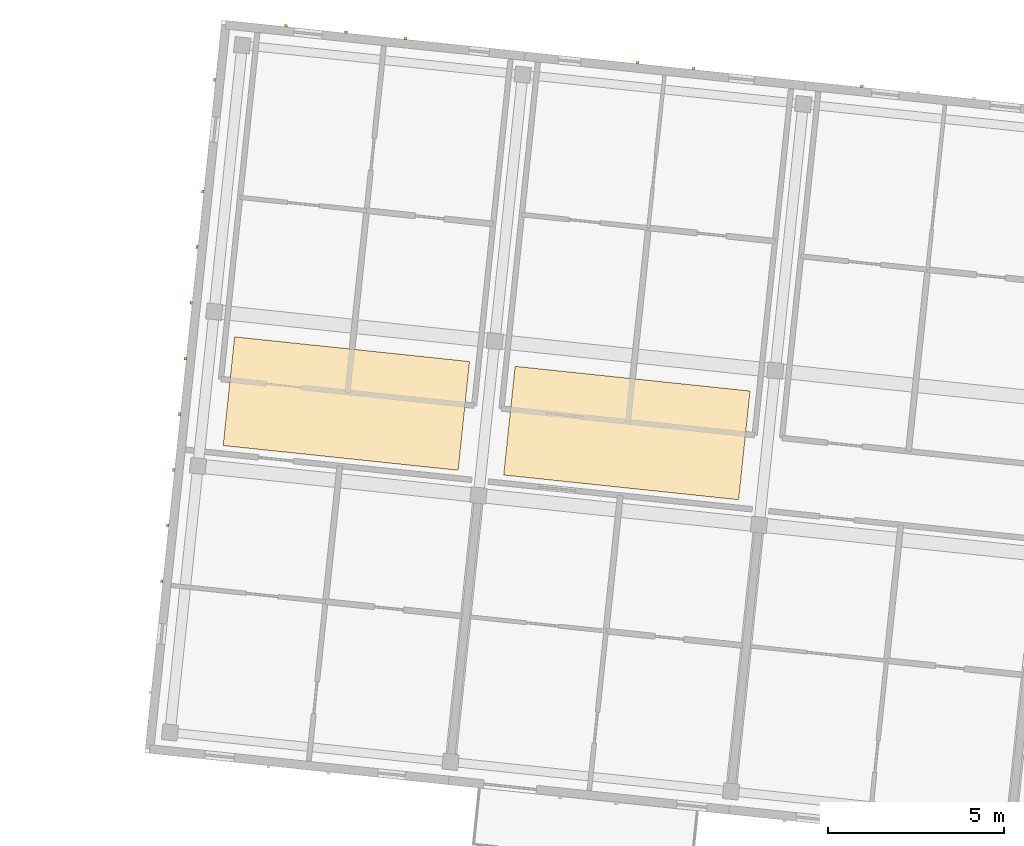
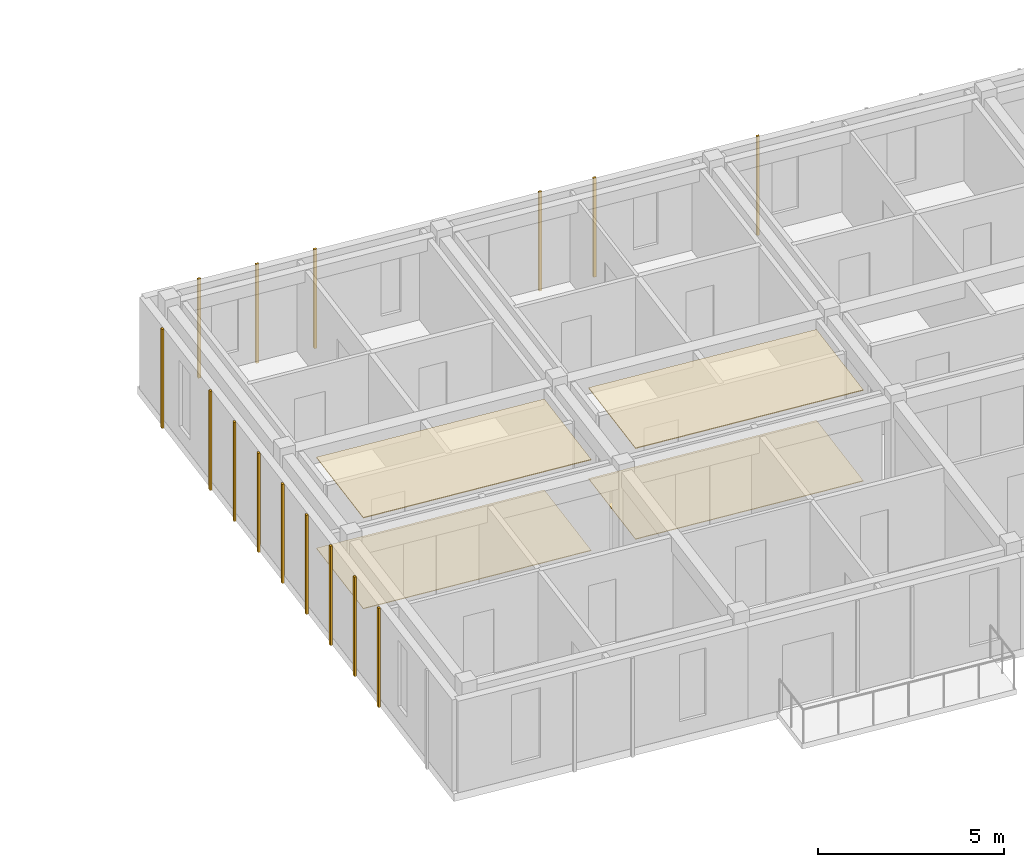
# One storey, part 56 of 64: 19 coverings.
"""IFC4 building model written with IfcOpenShell, lengths in metres."""

import ifcopenshell
import ifcopenshell.guid

model = None  # the IFC model being written
_history = None  # IfcOwnerHistory: only IFC2X3 demands one
_inside = {}  # id of a spatial element -> (the spatial element, [elements in it])
_under = {}  # id of a project, library or spatial element -> (it, [spatial elements below it])
_declared = {}  # id of a project -> (the project, [libraries it declares])
_typed = {}  # id of a type object -> (the type object, [elements of that type])
_made_of = {}  # id of a material, layer set ... -> (it, [elements and type objects made of it])


def new_model(schema):
    """Start an empty IFC model of exactly this schema.

    Asked for "IFC4X3", IfcOpenShell would pick the latest addendum, in which some entities
    have other attributes; the version numbers below select the first issue.
    IFC2X3 requires an IfcOwnerHistory on every rooted entity: one is made here for all.
    """
    global model, _history
    if schema == "IFC4X3":
        model = ifcopenshell.file(schema_version=(4, 3, 0, 0))
    else:
        model = ifcopenshell.file(schema=schema)
    _inside.clear()
    _under.clear()
    _declared.clear()
    _typed.clear()
    _made_of.clear()
    _history = None
    if model.schema == "IFC2X3":
        org = make("IfcOrganization", Name="unknown")
        user = make(
            "IfcPersonAndOrganization",
            ThePerson=make("IfcPerson", FamilyName="unknown"),
            TheOrganization=org,
        )
        app = make(
            "IfcApplication",
            ApplicationDeveloper=org,
            Version="unknown",
            ApplicationFullName="unknown",
            ApplicationIdentifier="unknown",
        )
        _history = make(
            "IfcOwnerHistory",
            OwningUser=user,
            OwningApplication=app,
            ChangeAction="ADDED",
            CreationDate=0,
        )
    return model


def make(cls, **values):
    """One entity of the class cls with the attributes given. An attribute that is None is left unset."""
    return model.create_entity(
        cls, **{name: value for name, value in values.items() if value is not None}
    )


def rooted(cls, **values):
    """An entity with a GlobalId (a new one), such as an element, a storey or a relation."""
    return make(cls, GlobalId=ifcopenshell.guid.new(), OwnerHistory=_history, **values)


def si_unit(unit_type, name, prefix=None):
    """IfcSIUnit, for example si_unit("LENGTHUNIT", "METRE", prefix="MILLI")."""
    return make("IfcSIUnit", UnitType=unit_type, Prefix=prefix, Name=name)


def assignment(units):
    """IfcUnitAssignment: the units of a project."""
    return None if units is None else make("IfcUnitAssignment", Units=units)


def point(xyz):
    """IfcCartesianPoint."""
    return None if xyz is None else make("IfcCartesianPoint", Coordinates=xyz)


def direction(xyz):
    """IfcDirection."""
    return None if xyz is None else make("IfcDirection", DirectionRatios=xyz)


def frame(location, z_axis=None, x_axis=None):
    """IfcAxis2Placement3D, a coordinate frame: its origin and axes. An axis left out is left unset."""
    return make(
        "IfcAxis2Placement3D",
        Location=point(location),
        Axis=direction(z_axis),
        RefDirection=direction(x_axis),
    )


def frame_2d(location, x_axis=None):
    """IfcAxis2Placement2D, a coordinate frame in the plane: its origin and x axis."""
    return make(
        "IfcAxis2Placement2D", Location=point(location), RefDirection=direction(x_axis)
    )


def origin():
    """The frame at (0, 0, 0) with its axes left unset."""
    return frame((0.0, 0.0, 0.0))


def origin_2d():
    """The frame at (0, 0) in the plane with its x axis left unset."""
    return frame_2d((0.0, 0.0))


def place(relative_to, where):
    """IfcLocalPlacement: puts the frame where relative to a parent placement (None: the world)."""
    return make(
        "IfcLocalPlacement", PlacementRelTo=relative_to, RelativePlacement=where
    )


def context(
    kind, dimensions, precision=None, world=None, true_north=None, identifier=None
):
    """IfcGeometricRepresentationContext, for example the 3D "Model" context."""
    return make(
        "IfcGeometricRepresentationContext",
        ContextIdentifier=identifier,
        ContextType=kind,
        CoordinateSpaceDimension=dimensions,
        Precision=precision,
        WorldCoordinateSystem=world,
        TrueNorth=true_north,
    )


def subcontext(parent, identifier, kind, view, scale=None):
    """IfcGeometricRepresentationSubContext, for example "Body" below "Model"."""
    return make(
        "IfcGeometricRepresentationSubContext",
        ContextIdentifier=identifier,
        ContextType=kind,
        ParentContext=parent,
        TargetScale=scale,
        TargetView=view,
    )


def project(units=None, contexts=None):
    """IfcProject with its units and contexts."""
    return rooted(
        "IfcProject",
        Name="project",
        RepresentationContexts=contexts,
        UnitsInContext=assignment(units),
    )


def spatial(cls, under=None, at=None, **own):
    """A site, building, storey or space (cls), placed at a placement, below another one or the project."""
    s = rooted(cls, ObjectPlacement=at, **own)
    if under is not None:
        _under.setdefault(under.id(), (under, []))[1].append(s)
    return s


def polyline(points):
    """IfcPolyline through the points."""
    return make("IfcPolyline", Points=[point(p) for p in points])


def profile(cls, at=None, kind="AREA", **sizes):
    """A parametric profile (cls). Its sizes go by their IFC names, for example OverallWidth=200.0."""
    return make(cls, ProfileType=kind, Position=at, **sizes)


def rectangle(**sizes):
    """IfcRectangleProfileDef."""
    return profile("IfcRectangleProfileDef", **sizes)


def outline(outer, holes=None, kind="AREA"):
    """IfcArbitraryClosedProfileDef: a profile drawn as a closed curve; with holes, ...WithVoids."""
    if holes is None:
        return make("IfcArbitraryClosedProfileDef", ProfileType=kind, OuterCurve=outer)
    return make(
        "IfcArbitraryProfileDefWithVoids",
        ProfileType=kind,
        OuterCurve=outer,
        InnerCurves=holes,
    )


def extrude(swept, where, along, depth):
    """IfcExtrudedAreaSolid: the profile swept, set in the frame where, extruded along a direction by depth."""
    return make(
        "IfcExtrudedAreaSolid",
        SweptArea=swept,
        Position=where,
        ExtrudedDirection=direction(along),
        Depth=depth,
    )


def shape(context_of_items, identifier, shape_type, items):
    """IfcShapeRepresentation: the items that make up one representation, for example the "Body"."""
    return make(
        "IfcShapeRepresentation",
        ContextOfItems=context_of_items,
        RepresentationIdentifier=identifier,
        RepresentationType=shape_type,
        Items=items,
    )


def material(Name=None, Category=None):
    """IfcMaterial."""
    return make("IfcMaterial", Name=Name, Category=Category)


def layer(
    of_material, thickness, ventilated=None, Name=None, Category=None, Priority=None
):
    """IfcMaterialLayer: one layer of a wall or slab, of a material (None: an air gap)."""
    return make(
        "IfcMaterialLayer",
        Material=of_material,
        LayerThickness=thickness,
        IsVentilated=ventilated,
        Name=Name,
        Category=Category,
        Priority=Priority,
    )


def layer_set(layers, Name=None):
    """IfcMaterialLayerSet."""
    return make("IfcMaterialLayerSet", MaterialLayers=layers, LayerSetName=Name)


def made_of(thing, what):
    """Note that an element or type object is made of a material, layer set ...; save() writes the relation."""
    if what is not None:
        _made_of.setdefault(what.id(), (what, []))[1].append(thing)
    return thing


def type_object(cls, material=None, **own):
    """A type object (cls), such as IfcWallType, which elements share."""
    return made_of(rooted(cls, **own), material)


def element(
    cls,
    number,
    at=None,
    inside=None,
    cuts=None,
    type_object=None,
    material=None,
    context=None,
    identifier="Body",
    shape_type=None,
    held_by="IfcProductDefinitionShape",
    body=None,
    shapes=None,
    **own,
):
    """One element of the class cls, such as IfcWall. Its Tag is "e" and its number.

    at: its placement. inside: the storey or other place that contains it. cuts: it is an
    opening in that element (IfcRelVoidsElement). A single representation is given by context,
    identifier, shape_type and body (its items); several are given by shapes. held_by: the class
    of the entity that holds the representations. save() writes the other relations.
    """
    e = rooted(cls, Tag="e%d" % number, ObjectPlacement=at, **own)
    if body is not None:
        shapes = [shape(context, identifier, shape_type, body)]
    if shapes is not None:
        e.Representation = make(held_by, Representations=shapes)
    if inside is not None:
        _inside.setdefault(inside.id(), (inside, []))[1].append(e)
    if cuts is not None:
        rooted(
            "IfcRelVoidsElement", RelatingBuildingElement=cuts, RelatedOpeningElement=e
        )
    if type_object is not None:
        _typed.setdefault(type_object.id(), (type_object, []))[1].append(e)
    return made_of(e, material)


def aggregate(whole, parts):
    """IfcRelAggregates: a whole, such as a stair, and the parts it consists of."""
    return rooted("IfcRelAggregates", RelatingObject=whole, RelatedObjects=parts)


def save(model, path):
    """Write the relations noted so far, then the file.

    IfcRelAggregates (storeys below a building ...), IfcRelContainedInSpatialStructure (elements
    in a storey), IfcRelDefinesByType, IfcRelAssociatesMaterial and IfcRelDeclares: one each for
    every whole, place, type object, material and project.
    """
    for whole, parts in _under.values():
        aggregate(whole, parts)
    for where, things in _inside.values():
        rooted(
            "IfcRelContainedInSpatialStructure",
            RelatedElements=things,
            RelatingStructure=where,
        )
    for kind, things in _typed.values():
        rooted("IfcRelDefinesByType", RelatedObjects=things, RelatingType=kind)
    for what, things in _made_of.values():
        rooted("IfcRelAssociatesMaterial", RelatedObjects=things, RelatingMaterial=what)
    for by, libraries in _declared.values():
        rooted("IfcRelDeclares", RelatingContext=by, RelatedDefinitions=libraries)
    model.write(path)


model = new_model("IFC4")

# Units and contexts
model_context = context("Model", 3, precision=1e-05, world=origin(), true_north=direction((0.0, 1.0)))
body_context = subcontext(model_context, "Body", "Model", "MODEL_VIEW")
ifc_project = project(units=[si_unit("LENGTHUNIT", "METRE"), si_unit("AREAUNIT", "SQUARE_METRE"), si_unit("VOLUMEUNIT", "CUBIC_METRE"), si_unit("PLANEANGLEUNIT", "RADIAN"), si_unit("MASSUNIT", "GRAM", prefix="KILO")], contexts=[model_context])

# Site, building, storey
site_placement = place(None, origin())
site = spatial("IfcSite", under=ifc_project, at=site_placement, CompositionType="ELEMENT")
building_placement = place(site_placement, origin())
building = spatial("IfcBuilding", under=site, at=building_placement, Name="Kestramere Prow Commons", CompositionType="ELEMENT")
storey_placement = place(building_placement, frame((0.0, 0.0, 24.64990234375)))
storey = spatial("IfcBuildingStorey", under=building, at=storey_placement, Name="L07", CompositionType="ELEMENT", Elevation=24.64990234375)

# Coverings
ifc_material_1 = material(Name="Mineral Fibre Acoustic Ceiling Tile")
ifc_layer_1 = layer(ifc_material_1, 0.02490234375)
ifc_layer_set_1 = layer_set([ifc_layer_1], Name="Mineral Fibre Acoustic Ceiling Tile")
covering_type_1 = type_object("IfcCoveringType", Name="COV-CEIL-ACOUSTIC", PredefinedType="CEILING", material=ifc_layer_set_1)
covering_1_placement = place(storey_placement, frame((0.0, 0.0, 2.97509765625)))
element("IfcCovering", 1, at=covering_1_placement, inside=storey, type_object=covering_type_1, Name="Block B L07 Corridor Acoustic Ceiling 1", PredefinedType="CEILING", context=body_context, shape_type="SweptSolid", body=[
    extrude(outline(polyline([(111.5087890625, 102.936767578125), (118.172119140625, 102.236572265625), (118.49609375, 105.319580078125), (111.832763671875, 106.019775390625), (111.5087890625, 102.936767578125)])), origin(), (0.0, 0.0, 1.0), 0.02490234375),
])
covering_2_placement = place(storey_placement, frame((0.0, 0.0, 2.97509765625)))
element("IfcCovering", 2, at=covering_2_placement, inside=storey, type_object=covering_type_1, Name="Block B L07 Corridor Acoustic Ceiling 2", PredefinedType="CEILING", context=body_context, shape_type="SweptSolid", body=[
    extrude(outline(polyline([(119.465087890625, 102.1005859375), (126.128173828125, 101.400390625), (126.452392578125, 104.4833984375), (119.7890625, 105.18359375), (119.465087890625, 102.1005859375)])), origin(), (0.0, 0.0, 1.0), 0.02490234375),
])
ifc_material_2 = material(Name="Weathered Zinc-Titanium Standing-Seam Cladding")
ifc_layer_2 = layer(ifc_material_2, 0.074951171875)
ifc_layer_set_2 = layer_set([ifc_layer_2], Name="Weathered Zinc-Titanium Standing-Seam Cladding")
covering_type_2 = type_object("IfcCoveringType", Name="COV-CLAD-SEAM", PredefinedType="CLADDING", material=ifc_layer_set_2)
for number, where, z_axis, x_axis, name in (
    (3, (113.293212890625, 114.843017578125, -0.25), (0.0, 0.0, 1.0), (0.994521895368, -0.104528463268, 0.0), "EW-B-L07-N-0 Standing-Seam Rib 1"),
    (4, (114.98876953125, 114.664794921875, -0.25), (0.0, 0.0, 1.0), (0.994521895368, -0.104528463268, 0.0), "EW-B-L07-N-0 Standing-Seam Rib 2"),
    (5, (116.684326171875, 114.486572265625, -0.25), (0.0, 0.0, 1.0), (0.994521895368, -0.104528463268, 0.0), "EW-B-L07-N-0 Standing-Seam Rib 3"),
    (6, (123.25830078125, 113.795654296875, -0.25), (0.0, 0.0, 1.0), (0.994521895368, -0.104528463268, 0.0), "EW-B-L07-N-1 Standing-Seam Rib 2"),
    (7, (124.849365234375, 113.62841796875, -0.25), (0.0, 0.0, 1.0), (0.994521895368, -0.104528463268, 0.0), "EW-B-L07-N-1 Standing-Seam Rib 3"),
    (8, (129.623046875, 113.126708984375, -0.25), (0.0, 0.0, 1.0), (0.994521895368, -0.104528463268, 0.0), "EW-B-L07-N-2 Standing-Seam Rib 1"),
    (9, (109.76953125, 99.087890625, -0.25), (0.0, 0.0, 1.0), (0.104528463268, 0.994521895368, 0.0), "EW-B-L07-EAV Standing-Seam Rib 3"),
    (10, (109.935546875, 100.667724609375, -0.25), (0.0, 0.0, 1.0), (0.104528463268, 0.994521895368, 0.0), "EW-B-L07-EAV Standing-Seam Rib 4"),
    (11, (110.1015625, 102.24755859375, -0.25), (0.0, 0.0, 1.0), (0.104528463268, 0.994521895368, 0.0), "EW-B-L07-EAV Standing-Seam Rib 5"),
    (12, (110.267578125, 103.8271484375, -0.25), (0.0, 0.0, 1.0), (0.104528463268, 0.994521895368, 0.0), "EW-B-L07-EAV Standing-Seam Rib 6"),
    (13, (110.43359375, 105.406982421875, -0.25), (0.0, 0.0, 1.0), (0.104528463268, 0.994521895368, 0.0), "EW-B-L07-EAV Standing-Seam Rib 7"),
    (14, (110.599609375, 106.98681640625, -0.25), (0.0, 0.0, 1.0), (0.104528463268, 0.994521895368, 0.0), "EW-B-L07-EAV Standing-Seam Rib 8"),
    (15, (110.765625, 108.566650390625, -0.25), (0.0, 0.0, 1.0), (0.104528463268, 0.994521895368, 0.0), "EW-B-L07-EAV Standing-Seam Rib 9"),
    (16, (110.931640625, 110.146240234375, -0.25), (0.0, 0.0, 1.0), (0.104528463268, 0.994521895368, 0.0), "EW-B-L07-EAV Standing-Seam Rib 10"),
    (17, (111.263916015625, 113.305908203125, -0.25), (0.0, 0.0, 1.0), (0.104528463268, 0.994521895368, 0.0), "EW-B-L07-EAV Standing-Seam Rib 12"),
):
    element("IfcCovering", number, at=place(storey_placement, frame(where, z_axis=z_axis, x_axis=x_axis)), inside=storey, type_object=covering_type_2, Name=name, PredefinedType="CLADDING", context=body_context, shape_type="SweptSolid", body=[
        extrude(rectangle(XDim=0.0849609375, YDim=0.06494140625, at=origin_2d()), origin(), (0.0, 0.0, 1.0), 3.25),
    ])
ifc_material_3 = material(Name="Honed Cementitious Terrazzo Tile")
ifc_layer_3 = layer(ifc_material_3, 0.02001953125)
ifc_layer_set_3 = layer_set([ifc_layer_3], Name="Honed Cementitious Terrazzo Tile")
covering_type_3 = type_object("IfcCoveringType", Name="COV-FLOOR-TERRAZZO", PredefinedType="FLOORING", material=ifc_layer_set_3)
covering_3_placement = place(storey_placement, origin())
element("IfcCovering", 18, at=covering_3_placement, inside=storey, type_object=covering_type_3, Name="Block B L07 Corridor Terrazzo Flooring 1", PredefinedType="FLOORING", context=body_context, shape_type="SweptSolid", body=[
    extrude(outline(polyline([(111.5087890625, 102.936767578125), (118.172119140625, 102.236572265625), (118.49609375, 105.319580078125), (111.832763671875, 106.019775390625), (111.5087890625, 102.936767578125)])), origin(), (0.0, 0.0, 1.0), 0.02001953125),
])
covering_4_placement = place(storey_placement, origin())
element("IfcCovering", 19, at=covering_4_placement, inside=storey, type_object=covering_type_3, Name="Block B L07 Corridor Terrazzo Flooring 2", PredefinedType="FLOORING", context=body_context, shape_type="SweptSolid", body=[
    extrude(outline(polyline([(119.465087890625, 102.1005859375), (126.128173828125, 101.400390625), (126.452392578125, 104.4833984375), (119.7890625, 105.18359375), (119.465087890625, 102.1005859375)])), origin(), (0.0, 0.0, 1.0), 0.02001953125),
])

save(model, "model.ifc")
